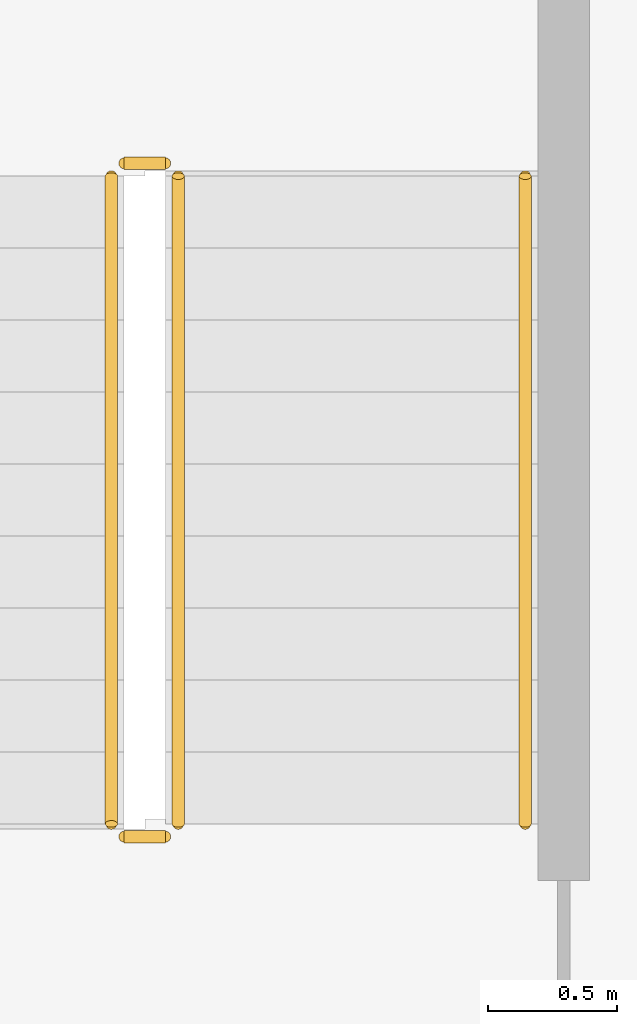
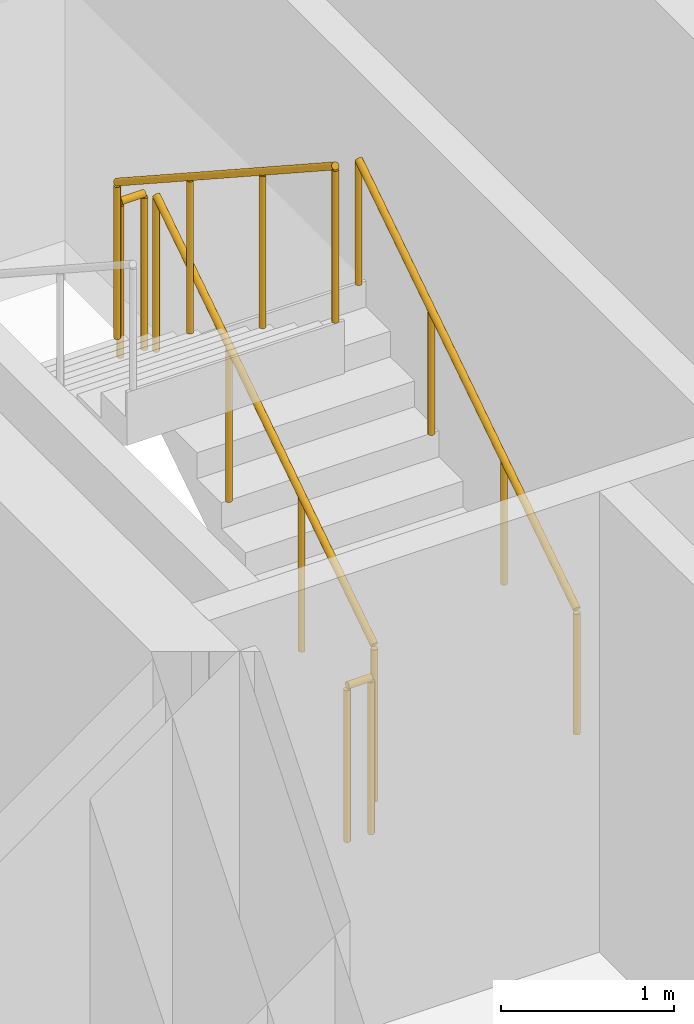
# One storey, part 11 of 13: 5 railings.
"""IFC4 building model written with IfcOpenShell, lengths in metres."""

from ifc_helpers import new_model, si_unit, direction, frame, origin, origin_2d, place, context, subcontext, project, spatial, circle, extrude, material, type_object, element, save


model = new_model("IFC4")

# Units and contexts
model_context = context("Model", 3, precision=1e-05, world=origin(), true_north=direction((0.0, 1.0)))
body_context = subcontext(model_context, "Body", "Model", "MODEL_VIEW")
ifc_project = project(units=[si_unit("LENGTHUNIT", "METRE"), si_unit("AREAUNIT", "SQUARE_METRE"), si_unit("VOLUMEUNIT", "CUBIC_METRE"), si_unit("PLANEANGLEUNIT", "RADIAN"), si_unit("MASSUNIT", "GRAM", prefix="KILO")], contexts=[model_context])

# Site, building, storey
site_placement = place(None, origin())
site = spatial("IfcSite", under=ifc_project, at=site_placement, CompositionType="ELEMENT")
building_placement = place(site_placement, origin())
building = spatial("IfcBuilding", under=site, at=building_placement, Name="Nuvemarco Arch Tower", CompositionType="ELEMENT")
storey_placement = place(building_placement, frame((0.0, 0.0, 82.35009765625)))
storey = spatial("IfcBuildingStorey", under=building, at=storey_placement, Name="L21", CompositionType="ELEMENT", Elevation=82.35009765625)

# Railings
ifc_material_1 = material(Name="Brushed stainless steel handrail", Category="steel")
railing_type_1 = type_object("IfcRailingType", Name="RL-HANDRAIL-900", PredefinedType="HANDRAIL", material=ifc_material_1)
railing_1_placement = place(storey_placement, frame((-13.590087890625, 2.64990234375, 0.182373046875)))
element("IfcRailing", 1, at=railing_1_placement, inside=storey, type_object=railing_type_1, Name="L21 ST-1 stair handrail 1", PredefinedType="HANDRAIL", context=body_context, shape_type="SweptSolid", body=[
    extrude(circle(Radius=0.02392578125, at=origin_2d()), frame((0.0, 0.0, 0.8759765625), z_axis=(0.0, 0.837749427056, 0.546054848405), x_axis=(-1.0, 0.0, 0.0)), (0.0, 0.0, 1.0), 3.008056640625),
    extrude(circle(Radius=0.02099609375, at=origin_2d()), origin(), (0.0, 0.0, 1.0), 0.851806640625),
    extrude(circle(Radius=0.02099609375, at=origin_2d()), frame((0.0, 0.840087890625, 0.547607421875)), (0.0, 0.0, 1.0), 0.851806640625),
    extrude(circle(Radius=0.02099609375, at=origin_2d()), frame((0.0, 1.679931640625, 1.094970703125)), (0.0, 0.0, 1.0), 0.851806640625),
    extrude(circle(Radius=0.02099609375, at=origin_2d()), frame((0.0, 2.52001953125, 1.642578125)), (0.0, 0.0, 1.0), 0.851806640625),
])
ifc_material_2 = material(Name="Painted balustrade steel S355", Category="steel")
railing_type_2 = type_object("IfcRailingType", Name="RL-STAIR-GUARD", PredefinedType="GUARDRAIL", material=ifc_material_2)
railing_2_placement = place(storey_placement, frame((-14.93994140625, 2.64990234375, 0.182373046875)))
element("IfcRailing", 2, at=railing_2_placement, inside=storey, type_object=railing_type_2, Name="L21 ST-1 stair guard 1", PredefinedType="GUARDRAIL", context=body_context, shape_type="SweptSolid", body=[
    extrude(circle(Radius=0.02392578125, at=origin_2d()), frame((0.0, 0.0, 1.09619140625), z_axis=(0.0, 0.837749427056, 0.546054848405), x_axis=(-1.0, 0.0, 0.0)), (0.0, 0.0, 1.0), 3.008056640625),
    extrude(circle(Radius=0.02099609375, at=origin_2d()), origin(), (0.0, 0.0, 1.0), 1.072021484375),
    extrude(circle(Radius=0.02099609375, at=origin_2d()), frame((0.0, 0.840087890625, 0.547607421875)), (0.0, 0.0, 1.0), 1.072021484375),
    extrude(circle(Radius=0.02099609375, at=origin_2d()), frame((0.0, 1.679931640625, 1.094970703125)), (0.0, 0.0, 1.0), 1.072021484375),
    extrude(circle(Radius=0.02099609375, at=origin_2d()), frame((0.0, 2.52001953125, 1.642578125)), (0.0, 0.0, 1.0), 1.072021484375),
])
railing_3_placement = place(storey_placement, frame((-14.989990234375, 5.219970703125, 1.824951171875)))
element("IfcRailing", 3, at=railing_3_placement, inside=storey, type_object=railing_type_2, Name="L21 ST-1 stair guard 2", PredefinedType="GUARDRAIL", context=body_context, shape_type="SweptSolid", body=[
    extrude(circle(Radius=0.02392578125, at=origin_2d()), frame((0.0, 0.0, 1.09619140625), z_axis=(-1.0, 0.0, 0.0), x_axis=(0.0, -1.0, 0.0)), (0.0, 0.0, 1.0), 0.159912109375),
    extrude(circle(Radius=0.02099609375, at=origin_2d()), origin(), (0.0, 0.0, 1.0), 1.072021484375),
    extrude(circle(Radius=0.02099609375, at=origin_2d()), frame((-0.159912109375, 0.0, 0.0)), (0.0, 0.0, 1.0), 1.072021484375),
])
railing_4_placement = place(storey_placement, frame((-15.199951171875, 5.169921875, 2.00732421875)))
element("IfcRailing", 4, at=railing_4_placement, inside=storey, type_object=railing_type_2, Name="L21 ST-1 stair guard 3", PredefinedType="GUARDRAIL", context=body_context, shape_type="SweptSolid", body=[
    extrude(circle(Radius=0.02392578125, at=origin_2d()), frame((0.0, 0.0, 1.09619140625), z_axis=(0.0, -0.837749427056, 0.546054848405), x_axis=(1.0, 0.0, 0.0)), (0.0, 0.0, 1.0), 3.008056640625),
    extrude(circle(Radius=0.02099609375, at=origin_2d()), origin(), (0.0, 0.0, 1.0), 1.072021484375),
    extrude(circle(Radius=0.02099609375, at=origin_2d()), frame((0.0, -0.840087890625, 0.547607421875)), (0.0, 0.0, 1.0), 1.072021484375),
    extrude(circle(Radius=0.02099609375, at=origin_2d()), frame((0.0, -1.679931640625, 1.094970703125)), (0.0, 0.0, 1.0), 1.072021484375),
    extrude(circle(Radius=0.02099609375, at=origin_2d()), frame((0.0, -2.52001953125, 1.642578125)), (0.0, 0.0, 1.0), 1.072021484375),
])
railing_5_placement = place(storey_placement, frame((-14.989990234375, 2.60009765625, 0.0)))
element("IfcRailing", 5, at=railing_5_placement, inside=storey, type_object=railing_type_2, Name="L21 ST-1 stair guard 4", PredefinedType="GUARDRAIL", context=body_context, shape_type="SweptSolid", body=[
    extrude(circle(Radius=0.02392578125, at=origin_2d()), frame((0.0, 0.0, 1.09619140625), z_axis=(-1.0, 0.0, 0.0), x_axis=(0.0, -1.0, 0.0)), (0.0, 0.0, 1.0), 0.159912109375),
    extrude(circle(Radius=0.02099609375, at=origin_2d()), origin(), (0.0, 0.0, 1.0), 1.072021484375),
    extrude(circle(Radius=0.02099609375, at=origin_2d()), frame((-0.159912109375, 0.0, 0.0)), (0.0, 0.0, 1.0), 1.072021484375),
])

save(model, "model.ifc")
